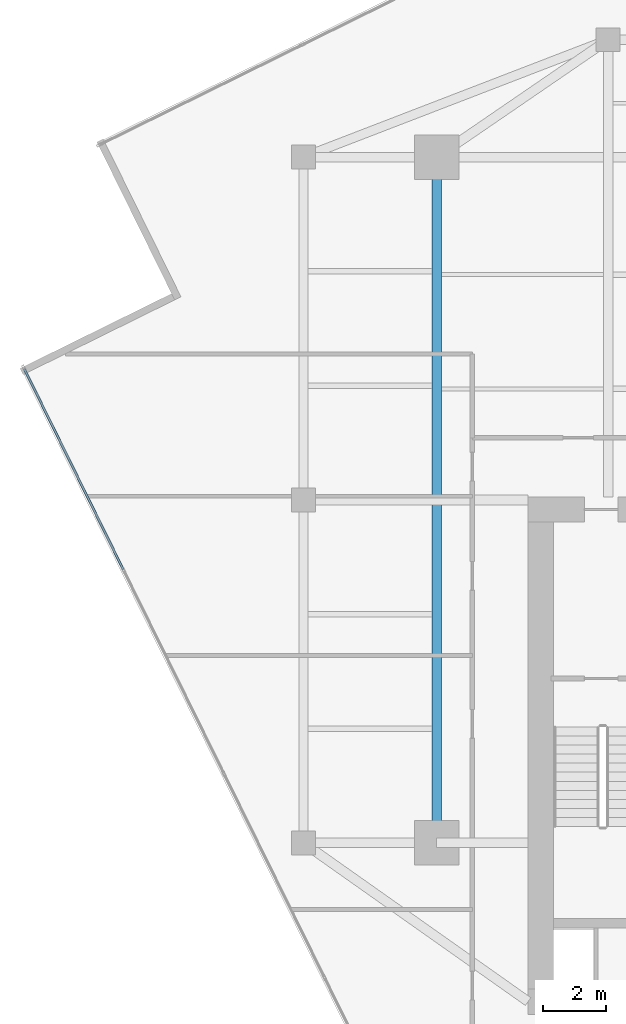
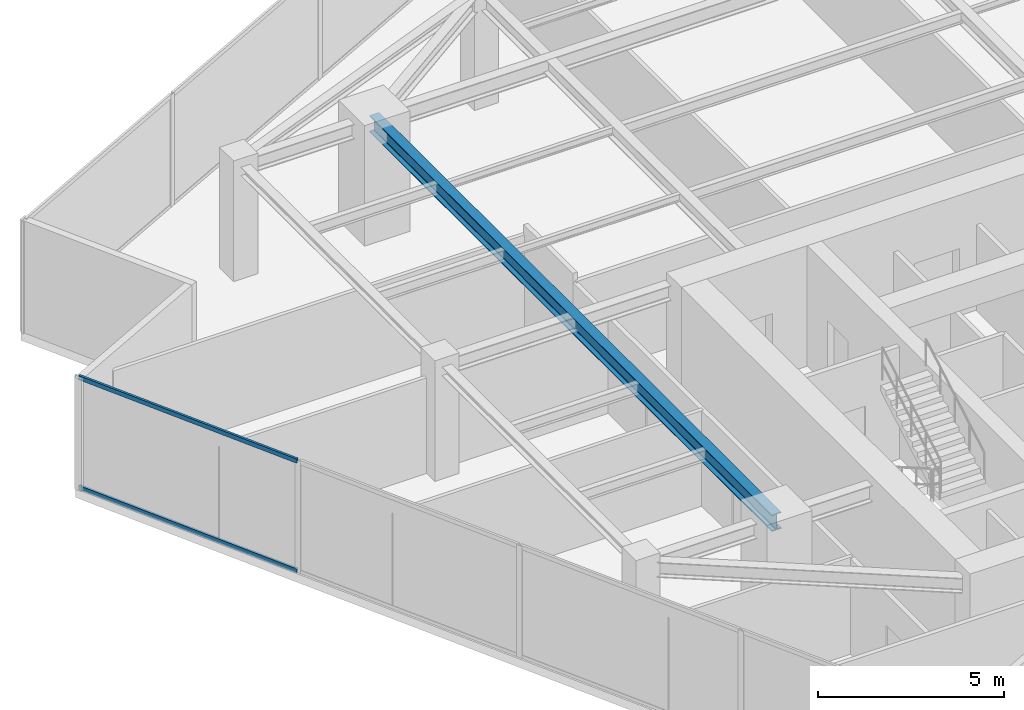
# One storey, part 5 of 22: 2 members, 1 beam, 1 element without a shape of its own.
"""IFC4 building model written with IfcOpenShell, lengths in metres."""

from ifc_helpers import new_model, si_unit, direction, frame, origin, origin_2d, place, context, subcontext, project, spatial, hollow_rectangle, i_section, extrude, source, transform, mapped, material, material_profile, profile_set, type_object, type_shapes, element, aggregate, save


model = new_model("IFC4")

# Units and contexts
model_context = context("Model", 3, precision=1e-05, world=origin(), true_north=direction((0.0, 1.0)))
body_context = subcontext(model_context, "Body", "Model", "MODEL_VIEW")
ifc_project = project(units=[si_unit("LENGTHUNIT", "METRE"), si_unit("AREAUNIT", "SQUARE_METRE"), si_unit("VOLUMEUNIT", "CUBIC_METRE"), si_unit("PLANEANGLEUNIT", "RADIAN"), si_unit("MASSUNIT", "GRAM", prefix="KILO")], contexts=[model_context])

# Site, building, storey
site_placement = place(None, origin())
site = spatial("IfcSite", under=ifc_project, at=site_placement, CompositionType="ELEMENT")
building_placement = place(site_placement, origin())
building = spatial("IfcBuilding", under=site, at=building_placement, Name="Krantzveldt Concourse Tower", CompositionType="ELEMENT")
storey_placement = place(building_placement, frame((0.0, 0.0, 310.85009765625)))
storey = spatial("IfcBuildingStorey", under=building, at=storey_placement, Name="L76", CompositionType="ELEMENT", Elevation=310.85009765625)

# Beam
ifc_material_1 = material(Name="Steel S355JR", Category="steel")
ifc_material_profile_1 = material_profile(ifc_material_1, i_section(OverallWidth=0.300048828125, OverallDepth=0.5400390625, WebThickness=0.012451171875, FlangeThickness=0.02392578125, FilletRadius=0.027099609375, at=origin_2d()), Name="Steel S355JR", Category="steel")
ifc_profile_set_1 = profile_set([ifc_material_profile_1], Name="Steel S355JR - HEA 550")
beam_type = type_object("IfcBeamType", Name="BM-B-HEA550", PredefinedType="BEAM", material=ifc_profile_set_1)
shared_shape_1 = source(origin(), body_context, "Body", "SweptSolid", [
    extrude(i_section(OverallWidth=0.300048828125, OverallDepth=0.5400390625, WebThickness=0.012451171875, FlangeThickness=0.02392578125, FilletRadius=0.027099609375, at=origin_2d()), origin(), (0.0, 0.0, 1.0), 21.60009765625),
])
type_shapes(beam_type, [shared_shape_1])
beam_placement = place(storey_placement, frame((25.199951171875, 15.89990234375, 3.39990234375), z_axis=(0.0, 1.0, 0.0), x_axis=(-1.0, 0.0, 0.0)))
element("IfcBeam", 1, at=beam_placement, inside=storey, type_object=beam_type, Name="L76 Tower Girder BG-MW", PredefinedType="BEAM", context=body_context, shape_type="MappedRepresentation", body=[
    mapped(shared_shape_1, transform((0.0, 0.0, 0.0), x_axis=(1.0, 0.0, 0.0), y_axis=(0.0, 1.0, 0.0), z_axis=(0.0, 0.0, 1.0), scale=1.0)),
])

# Curtain wall, members
ifc_material_2 = material(Name="Anodised aluminium 6063-T6", Category="aluminium")
curtain_wall_type = type_object("IfcCurtainWallType", Name="CW4", PredefinedType="USERDEFINED", material=ifc_material_2)
curtain_wall_placement = place(storey_placement, origin())
curtain_wall = element("IfcCurtainWall", 2, at=curtain_wall_placement, inside=storey, type_object=curtain_wall_type, Name="CW-L76-F04", ObjectType="UNITISED CURTAIN WALL", PredefinedType="USERDEFINED")
ifc_material_profile_2 = material_profile(ifc_material_2, hollow_rectangle(XDim=0.070068359375, YDim=0.139892578125, WallThickness=0.0048828125, at=origin_2d()), Name="Anodised aluminium 6063-T6", Category="aluminium")
ifc_profile_set_2 = profile_set([ifc_material_profile_2], Name="Anodised aluminium 6063-T6 - ALU-TRAN 140x70x5")
member_type = type_object("IfcMemberType", Name="CW-TRN-150", PredefinedType="USERDEFINED", material=ifc_profile_set_2)
shared_shape_2 = source(origin(), body_context, "Body", "SweptSolid", [
    extrude(hollow_rectangle(XDim=0.070068359375, YDim=0.139892578125, WallThickness=0.0048828125, at=origin_2d()), origin(), (0.0, 0.0, 1.0), 7.045166015625),
])
type_shapes(member_type, [shared_shape_2])
member_1_placement = place(storey_placement, frame((12.208251953125, 30.83349609375, 0.034912109375), z_axis=(0.44228599274, -0.896874071777, 0.0), x_axis=(0.896874071777, 0.44228599274, 0.0)))
member_1 = element("IfcMember", 3, at=member_1_placement, type_object=member_type, Name="CW-Z56 transom 1.1", ObjectType="TRANSOM", PredefinedType="USERDEFINED", context=body_context, shape_type="MappedRepresentation", body=[
    mapped(shared_shape_2, transform((0.0, 0.0, 0.0), x_axis=(1.0, 0.0, 0.0), y_axis=(0.0, 1.0, 0.0), z_axis=(0.0, 0.0, 1.0), scale=1.0)),
])
member_2_placement = place(storey_placement, frame((12.208251953125, 30.83349609375, 3.635009765625), z_axis=(0.44228599274, -0.896874071777, 0.0), x_axis=(0.896874071777, 0.44228599274, 0.0)))
member_2 = element("IfcMember", 4, at=member_2_placement, type_object=member_type, Name="CW-Z56 transom 1.2", ObjectType="TRANSOM", PredefinedType="USERDEFINED", context=body_context, shape_type="MappedRepresentation", body=[
    mapped(shared_shape_2, transform((0.0, 0.0, 0.0), x_axis=(1.0, 0.0, 0.0), y_axis=(0.0, 1.0, 0.0), z_axis=(0.0, 0.0, 1.0), scale=1.0)),
])
aggregate(curtain_wall, [member_1, member_2])

save(model, "model.ifc")
